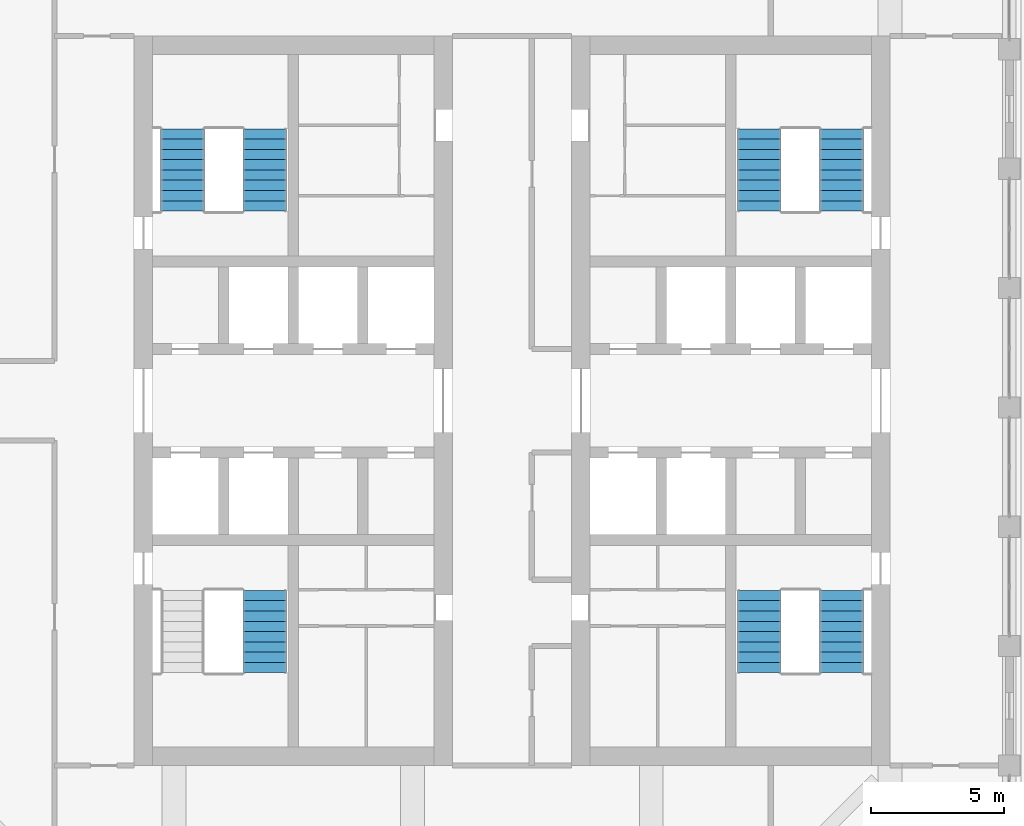
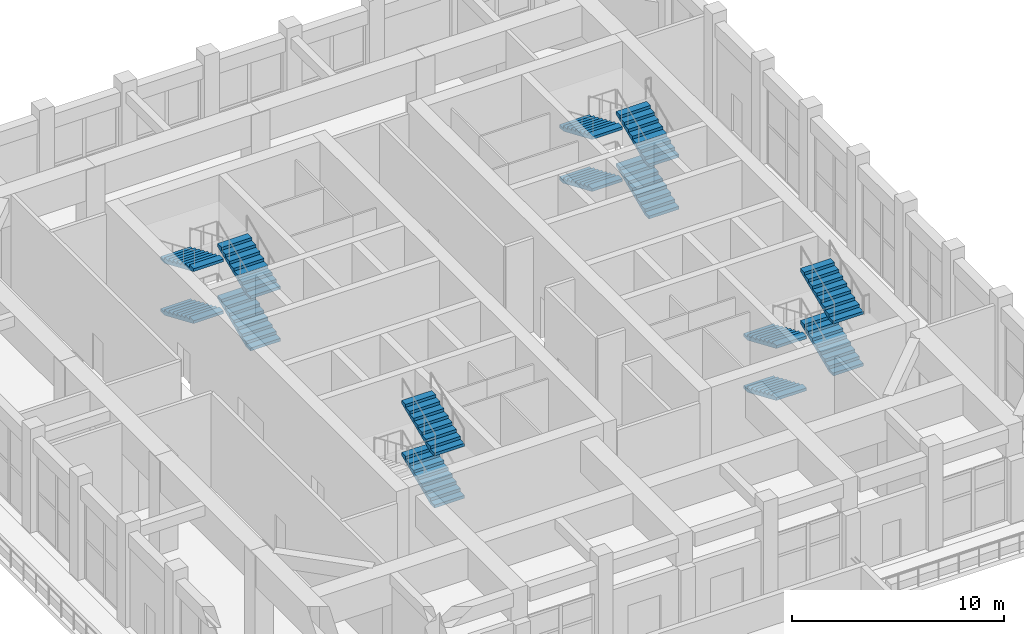
# One storey, part 13 of 20: 14 stair flights, 4 elements without a shape of their own.
"""IFC4 building model written with IfcOpenShell, lengths in metres."""

import ifcopenshell
import ifcopenshell.guid

model = None  # the IFC model being written
_history = None  # IfcOwnerHistory: only IFC2X3 demands one
_inside = {}  # id of a spatial element -> (the spatial element, [elements in it])
_under = {}  # id of a project, library or spatial element -> (it, [spatial elements below it])
_declared = {}  # id of a project -> (the project, [libraries it declares])
_typed = {}  # id of a type object -> (the type object, [elements of that type])
_made_of = {}  # id of a material, layer set ... -> (it, [elements and type objects made of it])


def new_model(schema):
    """Start an empty IFC model of exactly this schema.

    Asked for "IFC4X3", IfcOpenShell would pick the latest addendum, in which some entities
    have other attributes; the version numbers below select the first issue.
    IFC2X3 requires an IfcOwnerHistory on every rooted entity: one is made here for all.
    """
    global model, _history
    if schema == "IFC4X3":
        model = ifcopenshell.file(schema_version=(4, 3, 0, 0))
    else:
        model = ifcopenshell.file(schema=schema)
    _inside.clear()
    _under.clear()
    _declared.clear()
    _typed.clear()
    _made_of.clear()
    _history = None
    if model.schema == "IFC2X3":
        org = make("IfcOrganization", Name="unknown")
        user = make(
            "IfcPersonAndOrganization",
            ThePerson=make("IfcPerson", FamilyName="unknown"),
            TheOrganization=org,
        )
        app = make(
            "IfcApplication",
            ApplicationDeveloper=org,
            Version="unknown",
            ApplicationFullName="unknown",
            ApplicationIdentifier="unknown",
        )
        _history = make(
            "IfcOwnerHistory",
            OwningUser=user,
            OwningApplication=app,
            ChangeAction="ADDED",
            CreationDate=0,
        )
    return model


def make(cls, **values):
    """One entity of the class cls with the attributes given. An attribute that is None is left unset."""
    return model.create_entity(
        cls, **{name: value for name, value in values.items() if value is not None}
    )


def rooted(cls, **values):
    """An entity with a GlobalId (a new one), such as an element, a storey or a relation."""
    return make(cls, GlobalId=ifcopenshell.guid.new(), OwnerHistory=_history, **values)


def si_unit(unit_type, name, prefix=None):
    """IfcSIUnit, for example si_unit("LENGTHUNIT", "METRE", prefix="MILLI")."""
    return make("IfcSIUnit", UnitType=unit_type, Prefix=prefix, Name=name)


def assignment(units):
    """IfcUnitAssignment: the units of a project."""
    return None if units is None else make("IfcUnitAssignment", Units=units)


def point(xyz):
    """IfcCartesianPoint."""
    return None if xyz is None else make("IfcCartesianPoint", Coordinates=xyz)


def direction(xyz):
    """IfcDirection."""
    return None if xyz is None else make("IfcDirection", DirectionRatios=xyz)


def frame(location, z_axis=None, x_axis=None):
    """IfcAxis2Placement3D, a coordinate frame: its origin and axes. An axis left out is left unset."""
    return make(
        "IfcAxis2Placement3D",
        Location=point(location),
        Axis=direction(z_axis),
        RefDirection=direction(x_axis),
    )


def origin():
    """The frame at (0, 0, 0) with its axes left unset."""
    return frame((0.0, 0.0, 0.0))


def place(relative_to, where):
    """IfcLocalPlacement: puts the frame where relative to a parent placement (None: the world)."""
    return make(
        "IfcLocalPlacement", PlacementRelTo=relative_to, RelativePlacement=where
    )


def context(
    kind, dimensions, precision=None, world=None, true_north=None, identifier=None
):
    """IfcGeometricRepresentationContext, for example the 3D "Model" context."""
    return make(
        "IfcGeometricRepresentationContext",
        ContextIdentifier=identifier,
        ContextType=kind,
        CoordinateSpaceDimension=dimensions,
        Precision=precision,
        WorldCoordinateSystem=world,
        TrueNorth=true_north,
    )


def subcontext(parent, identifier, kind, view, scale=None):
    """IfcGeometricRepresentationSubContext, for example "Body" below "Model"."""
    return make(
        "IfcGeometricRepresentationSubContext",
        ContextIdentifier=identifier,
        ContextType=kind,
        ParentContext=parent,
        TargetScale=scale,
        TargetView=view,
    )


def project(units=None, contexts=None):
    """IfcProject with its units and contexts."""
    return rooted(
        "IfcProject",
        Name="project",
        RepresentationContexts=contexts,
        UnitsInContext=assignment(units),
    )


def spatial(cls, under=None, at=None, **own):
    """A site, building, storey or space (cls), placed at a placement, below another one or the project."""
    s = rooted(cls, ObjectPlacement=at, **own)
    if under is not None:
        _under.setdefault(under.id(), (under, []))[1].append(s)
    return s


def polyline(points):
    """IfcPolyline through the points."""
    return make("IfcPolyline", Points=[point(p) for p in points])


def outline(outer, holes=None, kind="AREA"):
    """IfcArbitraryClosedProfileDef: a profile drawn as a closed curve; with holes, ...WithVoids."""
    if holes is None:
        return make("IfcArbitraryClosedProfileDef", ProfileType=kind, OuterCurve=outer)
    return make(
        "IfcArbitraryProfileDefWithVoids",
        ProfileType=kind,
        OuterCurve=outer,
        InnerCurves=holes,
    )


def extrude(swept, where, along, depth):
    """IfcExtrudedAreaSolid: the profile swept, set in the frame where, extruded along a direction by depth."""
    return make(
        "IfcExtrudedAreaSolid",
        SweptArea=swept,
        Position=where,
        ExtrudedDirection=direction(along),
        Depth=depth,
    )


def shape(context_of_items, identifier, shape_type, items):
    """IfcShapeRepresentation: the items that make up one representation, for example the "Body"."""
    return make(
        "IfcShapeRepresentation",
        ContextOfItems=context_of_items,
        RepresentationIdentifier=identifier,
        RepresentationType=shape_type,
        Items=items,
    )


def material(Name=None, Category=None):
    """IfcMaterial."""
    return make("IfcMaterial", Name=Name, Category=Category)


def made_of(thing, what):
    """Note that an element or type object is made of a material, layer set ...; save() writes the relation."""
    if what is not None:
        _made_of.setdefault(what.id(), (what, []))[1].append(thing)
    return thing


def type_object(cls, material=None, **own):
    """A type object (cls), such as IfcWallType, which elements share."""
    return made_of(rooted(cls, **own), material)


def element(
    cls,
    number,
    at=None,
    inside=None,
    cuts=None,
    type_object=None,
    material=None,
    context=None,
    identifier="Body",
    shape_type=None,
    held_by="IfcProductDefinitionShape",
    body=None,
    shapes=None,
    **own,
):
    """One element of the class cls, such as IfcWall. Its Tag is "e" and its number.

    at: its placement. inside: the storey or other place that contains it. cuts: it is an
    opening in that element (IfcRelVoidsElement). A single representation is given by context,
    identifier, shape_type and body (its items); several are given by shapes. held_by: the class
    of the entity that holds the representations. save() writes the other relations.
    """
    e = rooted(cls, Tag="e%d" % number, ObjectPlacement=at, **own)
    if body is not None:
        shapes = [shape(context, identifier, shape_type, body)]
    if shapes is not None:
        e.Representation = make(held_by, Representations=shapes)
    if inside is not None:
        _inside.setdefault(inside.id(), (inside, []))[1].append(e)
    if cuts is not None:
        rooted(
            "IfcRelVoidsElement", RelatingBuildingElement=cuts, RelatedOpeningElement=e
        )
    if type_object is not None:
        _typed.setdefault(type_object.id(), (type_object, []))[1].append(e)
    return made_of(e, material)


def aggregate(whole, parts):
    """IfcRelAggregates: a whole, such as a stair, and the parts it consists of."""
    return rooted("IfcRelAggregates", RelatingObject=whole, RelatedObjects=parts)


def save(model, path):
    """Write the relations noted so far, then the file.

    IfcRelAggregates (storeys below a building ...), IfcRelContainedInSpatialStructure (elements
    in a storey), IfcRelDefinesByType, IfcRelAssociatesMaterial and IfcRelDeclares: one each for
    every whole, place, type object, material and project.
    """
    for whole, parts in _under.values():
        aggregate(whole, parts)
    for where, things in _inside.values():
        rooted(
            "IfcRelContainedInSpatialStructure",
            RelatedElements=things,
            RelatingStructure=where,
        )
    for kind, things in _typed.values():
        rooted("IfcRelDefinesByType", RelatedObjects=things, RelatingType=kind)
    for what, things in _made_of.values():
        rooted("IfcRelAssociatesMaterial", RelatedObjects=things, RelatingMaterial=what)
    for by, libraries in _declared.values():
        rooted("IfcRelDeclares", RelatingContext=by, RelatedDefinitions=libraries)
    model.write(path)


model = new_model("IFC4")

# Units and contexts
model_context = context("Model", 3, precision=1e-05, world=origin(), true_north=direction((0.0, 1.0)))
body_context = subcontext(model_context, "Body", "Model", "MODEL_VIEW")
ifc_project = project(units=[si_unit("LENGTHUNIT", "METRE"), si_unit("AREAUNIT", "SQUARE_METRE"), si_unit("VOLUMEUNIT", "CUBIC_METRE"), si_unit("PLANEANGLEUNIT", "RADIAN"), si_unit("MASSUNIT", "GRAM", prefix="KILO")], contexts=[model_context])

# Site, building, storey
site_placement = place(None, origin())
site = spatial("IfcSite", under=ifc_project, at=site_placement, CompositionType="ELEMENT")
building_placement = place(site_placement, origin())
building = spatial("IfcBuilding", under=site, at=building_placement, Name="Corbel Stack Research Tower", CompositionType="ELEMENT")
storey_placement = place(building_placement, frame((0.0, 0.0, 295.0)))
storey = spatial("IfcBuildingStorey", under=building, at=storey_placement, Name="L67", CompositionType="ELEMENT", Elevation=295.0)

# Stair, stair flights
ifc_material_1 = material(Name="Concrete C40/50", Category="concrete")
stair_type = type_object("IfcStairType", Name="Exit stair 36 risers, 388 going", PredefinedType="HALF_TURN_STAIR", material=ifc_material_1)
stair_1_placement = place(storey_placement, origin())
stair_1 = element("IfcStair", 1, at=stair_1_placement, inside=storey, type_object=stair_type, Name="L67 Exit stair ST-W1", PredefinedType="HALF_TURN_STAIR")
ifc_material_2 = material(Name="Concrete C40/50", Category="concrete")
stair_flight_type = type_object("IfcStairFlightType", Name="Stair flight 9 risers, 388 going", PredefinedType="STRAIGHT", material=ifc_material_2)
stair_flight_1_placement = place(storey_placement, frame((-5.574951171875, -5.50390625, 1.5), z_axis=(0.0, 0.0, 1.0), x_axis=(0.0, 1.0, 0.0)))
stair_flight_1 = element("IfcStairFlight", 2, at=stair_flight_1_placement, type_object=stair_flight_type, Name="ST-W1 flight 2", NumberOfRisers=9, NumberOfTreads=8, PredefinedType="STRAIGHT", RiserHeight=0.166666667, TreadLength=0.388, context=body_context, shape_type="SweptSolid", body=[
    extrude(outline(polyline([(0.0, 0.0), (0.0, 0.166748046875), (0.387939453125, 0.166748046875), (0.387939453125, 0.333251953125), (0.77587890625, 0.333251953125), (0.77587890625, 0.5), (1.1640625, 0.5), (1.1640625, 0.666748046875), (1.552001953125, 0.666748046875), (1.552001953125, 0.833251953125), (1.93994140625, 0.833251953125), (1.93994140625, 1.0), (2.327880859375, 1.0), (2.327880859375, 1.166748046875), (2.716064453125, 1.166748046875), (2.716064453125, 1.333251953125), (3.10400390625, 1.333251953125), (3.10400390625, 1.5), (3.10400390625, 1.170166015625), (0.3798828125, 0.0), (0.0, 0.0)])), frame((0.0, 0.824951171875, 0.0), z_axis=(0.0, -1.0, 0.0), x_axis=(1.0, 0.0, 0.0)), (0.0, 0.0, 1.0), 1.64990234375),
])
stair_flight_2_placement = place(storey_placement, frame((-5.574951171875, -5.50390625, 4.5), z_axis=(0.0, 0.0, 1.0), x_axis=(0.0, 1.0, 0.0)))
stair_flight_2 = element("IfcStairFlight", 3, at=stair_flight_2_placement, type_object=stair_flight_type, Name="ST-W1 flight 4", NumberOfRisers=9, NumberOfTreads=8, PredefinedType="STRAIGHT", RiserHeight=0.166666667, TreadLength=0.388, context=body_context, shape_type="SweptSolid", body=[
    extrude(outline(polyline([(0.0, 0.0), (0.0, 0.166748046875), (0.387939453125, 0.166748046875), (0.387939453125, 0.333251953125), (0.77587890625, 0.333251953125), (0.77587890625, 0.5), (1.1640625, 0.5), (1.1640625, 0.666748046875), (1.552001953125, 0.666748046875), (1.552001953125, 0.833251953125), (1.93994140625, 0.833251953125), (1.93994140625, 1.0), (2.327880859375, 1.0), (2.327880859375, 1.166748046875), (2.716064453125, 1.166748046875), (2.716064453125, 1.333251953125), (3.10400390625, 1.333251953125), (3.10400390625, 1.5), (3.10400390625, 1.170166015625), (0.3798828125, 0.0), (0.0, 0.0)])), frame((0.0, 0.824951171875, 0.0), z_axis=(0.0, -1.0, 0.0), x_axis=(1.0, 0.0, 0.0)), (0.0, 0.0, 1.0), 1.64990234375),
])
aggregate(stair_1, [stair_flight_1, stair_flight_2])

stair_2_placement = place(storey_placement, origin())
stair_2 = element("IfcStair", 4, at=stair_2_placement, inside=storey, type_object=stair_type, Name="L67 Exit stair ST-W2", PredefinedType="HALF_TURN_STAIR")
stair_flight_3_placement = place(storey_placement, frame((-5.574951171875, 11.89990234375, 0.0), z_axis=(0.0, 0.0, 1.0), x_axis=(0.0, 1.0, 0.0)))
stair_flight_3 = element("IfcStairFlight", 5, at=stair_flight_3_placement, type_object=stair_flight_type, Name="ST-W2 flight 1", NumberOfRisers=9, NumberOfTreads=8, PredefinedType="STRAIGHT", RiserHeight=0.166666667, TreadLength=0.388, context=body_context, shape_type="SweptSolid", body=[
    extrude(outline(polyline([(0.0, 0.0), (0.0, 0.166748046875), (0.387939453125, 0.166748046875), (0.387939453125, 0.333251953125), (0.77587890625, 0.333251953125), (0.77587890625, 0.5), (1.1640625, 0.5), (1.1640625, 0.666748046875), (1.552001953125, 0.666748046875), (1.552001953125, 0.833251953125), (1.93994140625, 0.833251953125), (1.93994140625, 1.0), (2.327880859375, 1.0), (2.327880859375, 1.166748046875), (2.716064453125, 1.166748046875), (2.716064453125, 1.333251953125), (3.10400390625, 1.333251953125), (3.10400390625, 1.5), (3.10400390625, 1.170166015625), (0.3798828125, 0.0), (0.0, 0.0)])), frame((0.0, 0.824951171875, 0.0), z_axis=(0.0, -1.0, 0.0), x_axis=(1.0, 0.0, 0.0)), (0.0, 0.0, 1.0), 1.64990234375),
])
stair_flight_4_placement = place(storey_placement, frame((-8.675048828125, 15.00390625, 1.5), z_axis=(0.0, 0.0, 1.0), x_axis=(0.0, -1.0, 0.0)))
stair_flight_4 = element("IfcStairFlight", 6, at=stair_flight_4_placement, type_object=stair_flight_type, Name="ST-W2 flight 2", NumberOfRisers=9, NumberOfTreads=8, PredefinedType="STRAIGHT", RiserHeight=0.166666667, TreadLength=0.388, context=body_context, shape_type="SweptSolid", body=[
    extrude(outline(polyline([(0.0, 0.0), (0.0, 0.166748046875), (0.387939453125, 0.166748046875), (0.387939453125, 0.333251953125), (0.77587890625, 0.333251953125), (0.77587890625, 0.5), (1.1640625, 0.5), (1.1640625, 0.666748046875), (1.552001953125, 0.666748046875), (1.552001953125, 0.833251953125), (1.93994140625, 0.833251953125), (1.93994140625, 1.0), (2.327880859375, 1.0), (2.327880859375, 1.166748046875), (2.716064453125, 1.166748046875), (2.716064453125, 1.333251953125), (3.10400390625, 1.333251953125), (3.10400390625, 1.5), (3.10400390625, 1.170166015625), (0.3798828125, 0.0), (0.0, 0.0)])), frame((0.0, 0.824951171875, 0.0), z_axis=(0.0, -1.0, 0.0), x_axis=(1.0, 0.0, 0.0)), (0.0, 0.0, 1.0), 1.64990234375),
])
stair_flight_5_placement = place(storey_placement, frame((-5.574951171875, 11.89990234375, 3.0), z_axis=(0.0, 0.0, 1.0), x_axis=(0.0, 1.0, 0.0)))
stair_flight_5 = element("IfcStairFlight", 7, at=stair_flight_5_placement, type_object=stair_flight_type, Name="ST-W2 flight 3", NumberOfRisers=9, NumberOfTreads=8, PredefinedType="STRAIGHT", RiserHeight=0.166666667, TreadLength=0.388, context=body_context, shape_type="SweptSolid", body=[
    extrude(outline(polyline([(0.0, 0.0), (0.0, 0.166748046875), (0.387939453125, 0.166748046875), (0.387939453125, 0.333251953125), (0.77587890625, 0.333251953125), (0.77587890625, 0.5), (1.1640625, 0.5), (1.1640625, 0.666748046875), (1.552001953125, 0.666748046875), (1.552001953125, 0.833251953125), (1.93994140625, 0.833251953125), (1.93994140625, 1.0), (2.327880859375, 1.0), (2.327880859375, 1.166748046875), (2.716064453125, 1.166748046875), (2.716064453125, 1.333251953125), (3.10400390625, 1.333251953125), (3.10400390625, 1.5), (3.10400390625, 1.170166015625), (0.3798828125, 0.0), (0.0, 0.0)])), frame((0.0, 0.824951171875, 0.0), z_axis=(0.0, -1.0, 0.0), x_axis=(1.0, 0.0, 0.0)), (0.0, 0.0, 1.0), 1.64990234375),
])
stair_flight_6_placement = place(storey_placement, frame((-8.675048828125, 15.00390625, 4.5), z_axis=(0.0, 0.0, 1.0), x_axis=(0.0, -1.0, 0.0)))
stair_flight_6 = element("IfcStairFlight", 8, at=stair_flight_6_placement, type_object=stair_flight_type, Name="ST-W2 flight 4", NumberOfRisers=9, NumberOfTreads=8, PredefinedType="STRAIGHT", RiserHeight=0.166666667, TreadLength=0.388, context=body_context, shape_type="SweptSolid", body=[
    extrude(outline(polyline([(0.0, 0.0), (0.0, 0.166748046875), (0.387939453125, 0.166748046875), (0.387939453125, 0.333251953125), (0.77587890625, 0.333251953125), (0.77587890625, 0.5), (1.1640625, 0.5), (1.1640625, 0.666748046875), (1.552001953125, 0.666748046875), (1.552001953125, 0.833251953125), (1.93994140625, 0.833251953125), (1.93994140625, 1.0), (2.327880859375, 1.0), (2.327880859375, 1.166748046875), (2.716064453125, 1.166748046875), (2.716064453125, 1.333251953125), (3.10400390625, 1.333251953125), (3.10400390625, 1.5), (3.10400390625, 1.170166015625), (0.3798828125, 0.0), (0.0, 0.0)])), frame((0.0, 0.824951171875, 0.0), z_axis=(0.0, -1.0, 0.0), x_axis=(1.0, 0.0, 0.0)), (0.0, 0.0, 1.0), 1.64990234375),
])
aggregate(stair_2, [stair_flight_3, stair_flight_4, stair_flight_5, stair_flight_6])

stair_3_placement = place(storey_placement, origin())
stair_3 = element("IfcStair", 9, at=stair_3_placement, inside=storey, type_object=stair_type, Name="L67 Exit stair ST-E1", PredefinedType="HALF_TURN_STAIR")
stair_flight_7_placement = place(storey_placement, frame((13.074951171875, -2.39990234375, 0.0), z_axis=(0.0, 0.0, 1.0), x_axis=(0.0, -1.0, 0.0)))
stair_flight_7 = element("IfcStairFlight", 10, at=stair_flight_7_placement, type_object=stair_flight_type, Name="ST-E1 flight 1", NumberOfRisers=9, NumberOfTreads=8, PredefinedType="STRAIGHT", RiserHeight=0.166666667, TreadLength=0.388, context=body_context, shape_type="SweptSolid", body=[
    extrude(outline(polyline([(0.0, 0.0), (0.0, 0.166748046875), (0.387939453125, 0.166748046875), (0.387939453125, 0.333251953125), (0.77587890625, 0.333251953125), (0.77587890625, 0.5), (1.1640625, 0.5), (1.1640625, 0.666748046875), (1.552001953125, 0.666748046875), (1.552001953125, 0.833251953125), (1.93994140625, 0.833251953125), (1.93994140625, 1.0), (2.327880859375, 1.0), (2.327880859375, 1.166748046875), (2.716064453125, 1.166748046875), (2.716064453125, 1.333251953125), (3.10400390625, 1.333251953125), (3.10400390625, 1.5), (3.10400390625, 1.170166015625), (0.3798828125, 0.0), (0.0, 0.0)])), frame((0.0, 0.824951171875, 0.0), z_axis=(0.0, -1.0, 0.0), x_axis=(1.0, 0.0, 0.0)), (0.0, 0.0, 1.0), 1.64990234375),
])
stair_flight_8_placement = place(storey_placement, frame((16.175048828125, -5.50390625, 1.5), z_axis=(0.0, 0.0, 1.0), x_axis=(0.0, 1.0, 0.0)))
stair_flight_8 = element("IfcStairFlight", 11, at=stair_flight_8_placement, type_object=stair_flight_type, Name="ST-E1 flight 2", NumberOfRisers=9, NumberOfTreads=8, PredefinedType="STRAIGHT", RiserHeight=0.166666667, TreadLength=0.388, context=body_context, shape_type="SweptSolid", body=[
    extrude(outline(polyline([(0.0, 0.0), (0.0, 0.166748046875), (0.387939453125, 0.166748046875), (0.387939453125, 0.333251953125), (0.77587890625, 0.333251953125), (0.77587890625, 0.5), (1.1640625, 0.5), (1.1640625, 0.666748046875), (1.552001953125, 0.666748046875), (1.552001953125, 0.833251953125), (1.93994140625, 0.833251953125), (1.93994140625, 1.0), (2.327880859375, 1.0), (2.327880859375, 1.166748046875), (2.716064453125, 1.166748046875), (2.716064453125, 1.333251953125), (3.10400390625, 1.333251953125), (3.10400390625, 1.5), (3.10400390625, 1.170166015625), (0.3798828125, 0.0), (0.0, 0.0)])), frame((0.0, 0.824951171875, 0.0), z_axis=(0.0, -1.0, 0.0), x_axis=(1.0, 0.0, 0.0)), (0.0, 0.0, 1.0), 1.64990234375),
])
stair_flight_9_placement = place(storey_placement, frame((13.074951171875, -2.39990234375, 3.0), z_axis=(0.0, 0.0, 1.0), x_axis=(0.0, -1.0, 0.0)))
stair_flight_9 = element("IfcStairFlight", 12, at=stair_flight_9_placement, type_object=stair_flight_type, Name="ST-E1 flight 3", NumberOfRisers=9, NumberOfTreads=8, PredefinedType="STRAIGHT", RiserHeight=0.166666667, TreadLength=0.388, context=body_context, shape_type="SweptSolid", body=[
    extrude(outline(polyline([(0.0, 0.0), (0.0, 0.166748046875), (0.387939453125, 0.166748046875), (0.387939453125, 0.333251953125), (0.77587890625, 0.333251953125), (0.77587890625, 0.5), (1.1640625, 0.5), (1.1640625, 0.666748046875), (1.552001953125, 0.666748046875), (1.552001953125, 0.833251953125), (1.93994140625, 0.833251953125), (1.93994140625, 1.0), (2.327880859375, 1.0), (2.327880859375, 1.166748046875), (2.716064453125, 1.166748046875), (2.716064453125, 1.333251953125), (3.10400390625, 1.333251953125), (3.10400390625, 1.5), (3.10400390625, 1.170166015625), (0.3798828125, 0.0), (0.0, 0.0)])), frame((0.0, 0.824951171875, 0.0), z_axis=(0.0, -1.0, 0.0), x_axis=(1.0, 0.0, 0.0)), (0.0, 0.0, 1.0), 1.64990234375),
])
stair_flight_10_placement = place(storey_placement, frame((16.175048828125, -5.50390625, 4.5), z_axis=(0.0, 0.0, 1.0), x_axis=(0.0, 1.0, 0.0)))
stair_flight_10 = element("IfcStairFlight", 13, at=stair_flight_10_placement, type_object=stair_flight_type, Name="ST-E1 flight 4", NumberOfRisers=9, NumberOfTreads=8, PredefinedType="STRAIGHT", RiserHeight=0.166666667, TreadLength=0.388, context=body_context, shape_type="SweptSolid", body=[
    extrude(outline(polyline([(0.0, 0.0), (0.0, 0.166748046875), (0.387939453125, 0.166748046875), (0.387939453125, 0.333251953125), (0.77587890625, 0.333251953125), (0.77587890625, 0.5), (1.1640625, 0.5), (1.1640625, 0.666748046875), (1.552001953125, 0.666748046875), (1.552001953125, 0.833251953125), (1.93994140625, 0.833251953125), (1.93994140625, 1.0), (2.327880859375, 1.0), (2.327880859375, 1.166748046875), (2.716064453125, 1.166748046875), (2.716064453125, 1.333251953125), (3.10400390625, 1.333251953125), (3.10400390625, 1.5), (3.10400390625, 1.170166015625), (0.3798828125, 0.0), (0.0, 0.0)])), frame((0.0, 0.824951171875, 0.0), z_axis=(0.0, -1.0, 0.0), x_axis=(1.0, 0.0, 0.0)), (0.0, 0.0, 1.0), 1.64990234375),
])
aggregate(stair_3, [stair_flight_7, stair_flight_8, stair_flight_9, stair_flight_10])

stair_4_placement = place(storey_placement, origin())
stair_4 = element("IfcStair", 14, at=stair_4_placement, inside=storey, type_object=stair_type, Name="L67 Exit stair ST-E2", PredefinedType="HALF_TURN_STAIR")
stair_flight_11_placement = place(storey_placement, frame((16.175048828125, 11.89990234375, 0.0), z_axis=(0.0, 0.0, 1.0), x_axis=(0.0, 1.0, 0.0)))
stair_flight_11 = element("IfcStairFlight", 15, at=stair_flight_11_placement, type_object=stair_flight_type, Name="ST-E2 flight 1", NumberOfRisers=9, NumberOfTreads=8, PredefinedType="STRAIGHT", RiserHeight=0.166666667, TreadLength=0.388, context=body_context, shape_type="SweptSolid", body=[
    extrude(outline(polyline([(0.0, 0.0), (0.0, 0.166748046875), (0.387939453125, 0.166748046875), (0.387939453125, 0.333251953125), (0.77587890625, 0.333251953125), (0.77587890625, 0.5), (1.1640625, 0.5), (1.1640625, 0.666748046875), (1.552001953125, 0.666748046875), (1.552001953125, 0.833251953125), (1.93994140625, 0.833251953125), (1.93994140625, 1.0), (2.327880859375, 1.0), (2.327880859375, 1.166748046875), (2.716064453125, 1.166748046875), (2.716064453125, 1.333251953125), (3.10400390625, 1.333251953125), (3.10400390625, 1.5), (3.10400390625, 1.170166015625), (0.3798828125, 0.0), (0.0, 0.0)])), frame((0.0, 0.824951171875, 0.0), z_axis=(0.0, -1.0, 0.0), x_axis=(1.0, 0.0, 0.0)), (0.0, 0.0, 1.0), 1.64990234375),
])
stair_flight_12_placement = place(storey_placement, frame((13.074951171875, 15.00390625, 1.5), z_axis=(0.0, 0.0, 1.0), x_axis=(0.0, -1.0, 0.0)))
stair_flight_12 = element("IfcStairFlight", 16, at=stair_flight_12_placement, type_object=stair_flight_type, Name="ST-E2 flight 2", NumberOfRisers=9, NumberOfTreads=8, PredefinedType="STRAIGHT", RiserHeight=0.166666667, TreadLength=0.388, context=body_context, shape_type="SweptSolid", body=[
    extrude(outline(polyline([(0.0, 0.0), (0.0, 0.166748046875), (0.387939453125, 0.166748046875), (0.387939453125, 0.333251953125), (0.77587890625, 0.333251953125), (0.77587890625, 0.5), (1.1640625, 0.5), (1.1640625, 0.666748046875), (1.552001953125, 0.666748046875), (1.552001953125, 0.833251953125), (1.93994140625, 0.833251953125), (1.93994140625, 1.0), (2.327880859375, 1.0), (2.327880859375, 1.166748046875), (2.716064453125, 1.166748046875), (2.716064453125, 1.333251953125), (3.10400390625, 1.333251953125), (3.10400390625, 1.5), (3.10400390625, 1.170166015625), (0.3798828125, 0.0), (0.0, 0.0)])), frame((0.0, 0.824951171875, 0.0), z_axis=(0.0, -1.0, 0.0), x_axis=(1.0, 0.0, 0.0)), (0.0, 0.0, 1.0), 1.64990234375),
])
stair_flight_13_placement = place(storey_placement, frame((16.175048828125, 11.89990234375, 3.0), z_axis=(0.0, 0.0, 1.0), x_axis=(0.0, 1.0, 0.0)))
stair_flight_13 = element("IfcStairFlight", 17, at=stair_flight_13_placement, type_object=stair_flight_type, Name="ST-E2 flight 3", NumberOfRisers=9, NumberOfTreads=8, PredefinedType="STRAIGHT", RiserHeight=0.166666667, TreadLength=0.388, context=body_context, shape_type="SweptSolid", body=[
    extrude(outline(polyline([(0.0, 0.0), (0.0, 0.166748046875), (0.387939453125, 0.166748046875), (0.387939453125, 0.333251953125), (0.77587890625, 0.333251953125), (0.77587890625, 0.5), (1.1640625, 0.5), (1.1640625, 0.666748046875), (1.552001953125, 0.666748046875), (1.552001953125, 0.833251953125), (1.93994140625, 0.833251953125), (1.93994140625, 1.0), (2.327880859375, 1.0), (2.327880859375, 1.166748046875), (2.716064453125, 1.166748046875), (2.716064453125, 1.333251953125), (3.10400390625, 1.333251953125), (3.10400390625, 1.5), (3.10400390625, 1.170166015625), (0.3798828125, 0.0), (0.0, 0.0)])), frame((0.0, 0.824951171875, 0.0), z_axis=(0.0, -1.0, 0.0), x_axis=(1.0, 0.0, 0.0)), (0.0, 0.0, 1.0), 1.64990234375),
])
stair_flight_14_placement = place(storey_placement, frame((13.074951171875, 15.00390625, 4.5), z_axis=(0.0, 0.0, 1.0), x_axis=(0.0, -1.0, 0.0)))
stair_flight_14 = element("IfcStairFlight", 18, at=stair_flight_14_placement, type_object=stair_flight_type, Name="ST-E2 flight 4", NumberOfRisers=9, NumberOfTreads=8, PredefinedType="STRAIGHT", RiserHeight=0.166666667, TreadLength=0.388, context=body_context, shape_type="SweptSolid", body=[
    extrude(outline(polyline([(0.0, 0.0), (0.0, 0.166748046875), (0.387939453125, 0.166748046875), (0.387939453125, 0.333251953125), (0.77587890625, 0.333251953125), (0.77587890625, 0.5), (1.1640625, 0.5), (1.1640625, 0.666748046875), (1.552001953125, 0.666748046875), (1.552001953125, 0.833251953125), (1.93994140625, 0.833251953125), (1.93994140625, 1.0), (2.327880859375, 1.0), (2.327880859375, 1.166748046875), (2.716064453125, 1.166748046875), (2.716064453125, 1.333251953125), (3.10400390625, 1.333251953125), (3.10400390625, 1.5), (3.10400390625, 1.170166015625), (0.3798828125, 0.0), (0.0, 0.0)])), frame((0.0, 0.824951171875, 0.0), z_axis=(0.0, -1.0, 0.0), x_axis=(1.0, 0.0, 0.0)), (0.0, 0.0, 1.0), 1.64990234375),
])
aggregate(stair_4, [stair_flight_11, stair_flight_12, stair_flight_13, stair_flight_14])

save(model, "model.ifc")
